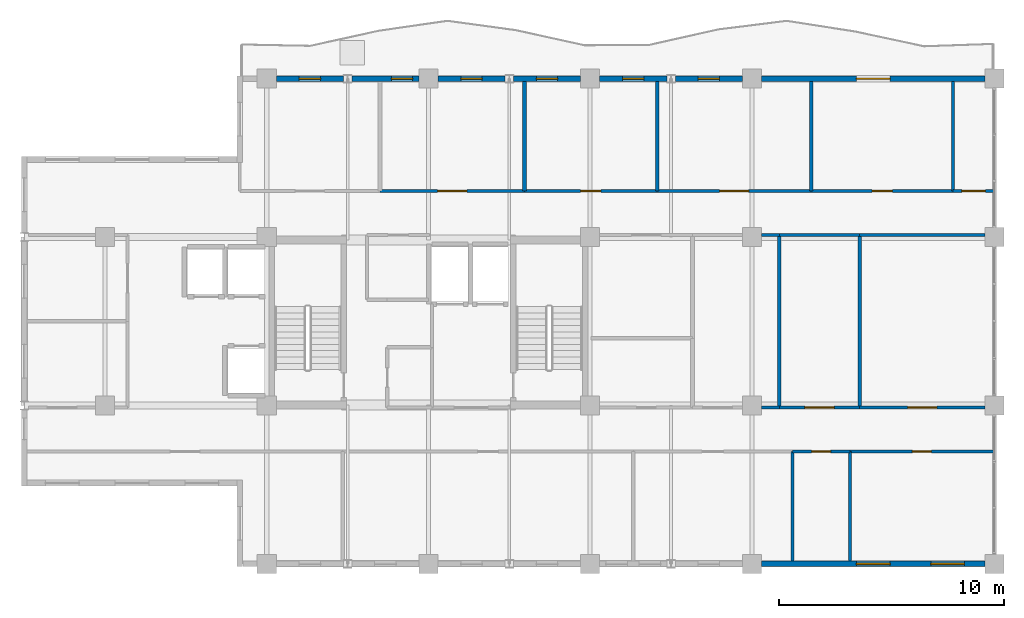
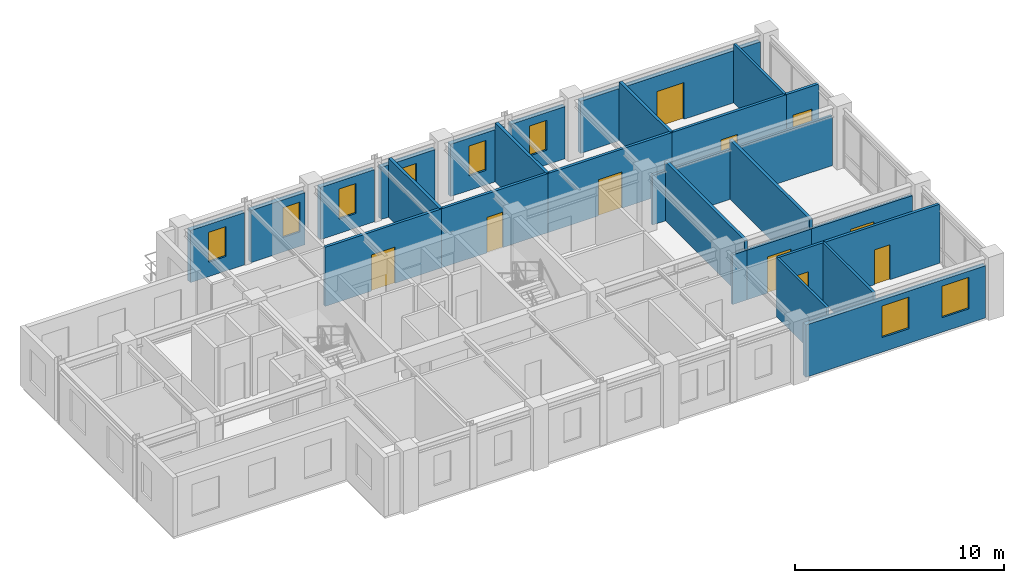
# One storey, part 8 of 10: 29 walls, 10 doors, 8 windows, 18 openings.
"""IFC4 building model written with IfcOpenShell, lengths in metres."""

from ifc_helpers import new_model, si_unit, direction, frame, frame_2d, origin, place, context, subcontext, project, spatial, rectangle, extrude, material, layer, layer_set, type_object, element, fill, save


model = new_model("IFC4")

# Units and contexts
model_context = context("Model", 3, precision=1e-05, world=origin(), true_north=direction((0.0, 1.0)))
body_context = subcontext(model_context, "Body", "Model", "MODEL_VIEW")
ifc_project = project(units=[si_unit("LENGTHUNIT", "METRE"), si_unit("AREAUNIT", "SQUARE_METRE"), si_unit("VOLUMEUNIT", "CUBIC_METRE"), si_unit("PLANEANGLEUNIT", "RADIAN"), si_unit("MASSUNIT", "GRAM", prefix="KILO")], contexts=[model_context])

# Site, building, storey
site_placement = place(None, origin())
site = spatial("IfcSite", under=ifc_project, at=site_placement, CompositionType="ELEMENT")
building_placement = place(site_placement, origin())
building = spatial("IfcBuilding", under=site, at=building_placement, Name="Kaliganga Portal Commons", CompositionType="ELEMENT")
storey_placement = place(building_placement, frame((0.0, 0.0, 290.60009765625)))
storey = spatial("IfcBuildingStorey", under=building, at=storey_placement, Name="L75", CompositionType="ELEMENT", Elevation=290.60009765625)

# Wall, openings, windows
ifc_material_1 = material(Name="Insulated Aluminium-Clad Spandrel Assembly", Category="aluminium")
ifc_layer_1 = layer(ifc_material_1, 0.260009765625)
ifc_layer_set_1 = layer_set([ifc_layer_1], Name="Insulated Aluminium-Clad Spandrel Assembly")
wall_type_1 = type_object("IfcWallType", Name="WL-EXT-SPAND-260", PredefinedType="STANDARD", material=ifc_layer_set_1)
wall_1_placement = place(storey_placement, frame((46.3740234375, 21.60009765625, 0.0), z_axis=(0.0, 0.0, 1.0), x_axis=(-1.0, 0.0, 0.0)))
wall_1 = element("IfcWall", 1, at=wall_1_placement, inside=storey, type_object=wall_type_1, Name="Exterior Envelope Wall L75 P1-E00-S8", PredefinedType="STANDARD", context=body_context, shape_type="SweptSolid", body=[
    extrude(rectangle(XDim=9.947998046875, YDim=0.260009765625, at=frame_2d((4.97412109375, 0.0))), origin(), (0.0, 0.0, 1.0), 3.054931640625),
])
opening_1_placement = place(wall_1_placement, frame((0.907958984375, 0.0, 0.85009765625)))
opening_1 = element("IfcOpeningElement", 2, at=opening_1_placement, cuts=wall_1, Name="Opening W-02", PredefinedType="OPENING", context=body_context, shape_type="SweptSolid", body=[
    extrude(rectangle(XDim=1.5, YDim=1.85009765625, at=frame_2d((0.75, 0.925048828125))), frame((0.0, 0.14013671875, 0.0), z_axis=(0.0, -1.0, 0.0), x_axis=(1.0, 0.0, 0.0)), (0.0, 0.0, 1.0), 0.280029296875),
])
opening_2_placement = place(wall_1_placement, frame((4.22412109375, 0.0, 0.85009765625)))
opening_2 = element("IfcOpeningElement", 3, at=opening_2_placement, cuts=wall_1, Name="Opening W-02", PredefinedType="OPENING", context=body_context, shape_type="SweptSolid", body=[
    extrude(rectangle(XDim=1.5, YDim=1.85009765625, at=frame_2d((0.75, 0.925048828125))), frame((0.0, 0.14013671875, 0.0), z_axis=(0.0, -1.0, 0.0), x_axis=(1.0, 0.0, 0.0)), (0.0, 0.0, 1.0), 0.280029296875),
])
ifc_material_2 = material(Name="Thermally Broken Aluminium and Low-E Double Glazing", Category="aluminium")
window_type_1 = type_object("IfcWindowType", Name="WIN-STD-1500", PartitioningType="DOUBLE_PANEL_VERTICAL", PredefinedType="WINDOW", material=ifc_material_2)
window_1_placement = place(opening_1_placement, origin())
window_1 = element("IfcWindow", 4, at=window_1_placement, inside=storey, type_object=window_type_1, Name="Facade Window L75-P1E00S8-00", OverallHeight=1.85009765625, OverallWidth=1.5, PartitioningType="SINGLE_PANEL", PredefinedType="WINDOW", context=body_context, shape_type="SweptSolid", body=[
    extrude(rectangle(XDim=1.5, YDim=1.85009765625, at=frame_2d((0.75, 0.925048828125))), frame((0.0, 0.030029296875, 0.0), z_axis=(0.0, -1.0, 0.0), x_axis=(1.0, 0.0, 0.0)), (0.0, 0.0, 1.0), 0.06005859375),
])
fill(opening_1, window_1)
window_2_placement = place(opening_2_placement, origin())
window_2 = element("IfcWindow", 5, at=window_2_placement, inside=storey, type_object=window_type_1, Name="Facade Window L75-P1E00S8-01", OverallHeight=1.85009765625, OverallWidth=1.5, PartitioningType="SINGLE_PANEL", PredefinedType="WINDOW", context=body_context, shape_type="SweptSolid", body=[
    extrude(rectangle(XDim=1.5, YDim=1.85009765625, at=frame_2d((0.75, 0.925048828125))), frame((0.0, 0.030029296875, 0.0), z_axis=(0.0, -1.0, 0.0), x_axis=(1.0, 0.0, 0.0)), (0.0, 0.0, 1.0), 0.06005859375),
])
fill(opening_2, window_2)

# Wall, opening, door
wall_2_placement = place(storey_placement, frame((36.426025390625, 43.199951171875, 0.0), z_axis=(0.0, 0.0, 1.0), x_axis=(1.0, 0.0, 0.0)))
wall_2 = element("IfcWall", 6, at=wall_2_placement, inside=storey, type_object=wall_type_1, Name="Exterior Envelope Wall L75 P1-E02-S1", PredefinedType="STANDARD", context=body_context, shape_type="SweptSolid", body=[
    extrude(rectangle(XDim=9.947998046875, YDim=0.260009765625, at=frame_2d((4.97412109375, 0.0))), origin(), (0.0, 0.0, 1.0), 3.054931640625),
])
opening_3_placement = place(wall_2_placement, frame((4.22412109375, 0.0, 0.0)))
opening_3 = element("IfcOpeningElement", 7, at=opening_3_placement, cuts=wall_2, Name="Opening BD-01", PredefinedType="OPENING", context=body_context, shape_type="SweptSolid", body=[
    extrude(rectangle(XDim=1.5, YDim=2.14990234375, at=frame_2d((0.75, 1.074951171875))), frame((0.0, 0.14013671875, 0.0), z_axis=(0.0, -1.0, 0.0), x_axis=(1.0, 0.0, 0.0)), (0.0, 0.0, 1.0), 0.280029296875),
])
ifc_material_3 = material(Name="Anodized Aluminium and Laminated Safety Glass", Category="aluminium")
door_type_1 = type_object("IfcDoorType", Name="DR-BALC-1500", OperationType="SLIDING_TO_LEFT", PredefinedType="DOOR", material=ifc_material_3)
door_1_placement = place(opening_3_placement, origin())
door_1 = element("IfcDoor", 8, at=door_1_placement, inside=storey, type_object=door_type_1, Name="Balcony Sliding Door L75 balc_north", OperationType="SLIDING_TO_LEFT", OverallHeight=2.14990234375, OverallWidth=1.5, PredefinedType="DOOR", context=body_context, shape_type="SweptSolid", body=[
    extrude(rectangle(XDim=1.5, YDim=2.14990234375, at=frame_2d((0.75, 1.074951171875))), frame((0.0, 0.02490234375, 0.0), z_axis=(0.0, -1.0, 0.0), x_axis=(1.0, 0.0, 0.0)), (0.0, 0.0, 1.0), 0.050048828125),
])
fill(opening_3, door_1)

# Wall, opening, window
wall_3_placement = place(storey_placement, frame((32.587890625, 43.199951171875, 0.0), z_axis=(0.0, 0.0, 1.0), x_axis=(1.0, 0.0, 0.0)))
wall_3 = element("IfcWall", 9, at=wall_3_placement, inside=storey, type_object=wall_type_1, Name="Exterior Envelope Wall L75 P1-E02-S2", PredefinedType="STANDARD", context=body_context, shape_type="SweptSolid", body=[
    extrude(rectangle(XDim=2.986083984375, YDim=0.260009765625, at=frame_2d((1.4931640625, 0.0))), origin(), (0.0, 0.0, 1.0), 3.054931640625),
])
opening_4_placement = place(wall_3_placement, frame((1.01806640625, 0.0, 0.85009765625)))
opening_4 = element("IfcOpeningElement", 10, at=opening_4_placement, cuts=wall_3, Name="Opening W-04", PredefinedType="OPENING", context=body_context, shape_type="SweptSolid", body=[
    extrude(rectangle(XDim=0.949951171875, YDim=1.75, at=frame_2d((0.47509765625, 0.875))), frame((0.0, 0.14013671875, 0.0), z_axis=(0.0, -1.0, 0.0), x_axis=(1.0, 0.0, 0.0)), (0.0, 0.0, 1.0), 0.280029296875),
])
window_type_2 = type_object("IfcWindowType", Name="WIN-NARROW-950", PartitioningType="SINGLE_PANEL", PredefinedType="WINDOW", material=ifc_material_2)
window_3_placement = place(opening_4_placement, origin())
window_3 = element("IfcWindow", 11, at=window_3_placement, inside=storey, type_object=window_type_2, Name="Facade Window L75-P1E02S2-00", OverallHeight=1.75, OverallWidth=0.949951171875, PartitioningType="SINGLE_PANEL", PredefinedType="WINDOW", context=body_context, shape_type="SweptSolid", body=[
    extrude(rectangle(XDim=0.949951171875, YDim=1.75, at=frame_2d((0.47509765625, 0.875))), frame((0.0, 0.030029296875, 0.0), z_axis=(0.0, -1.0, 0.0), x_axis=(1.0, 0.0, 0.0)), (0.0, 0.0, 1.0), 0.06005859375),
])
fill(opening_4, window_3)

wall_4_placement = place(storey_placement, frame((29.22607421875, 43.199951171875, 0.0), z_axis=(0.0, 0.0, 1.0), x_axis=(1.0, 0.0, 0.0)))
wall_4 = element("IfcWall", 12, at=wall_4_placement, inside=storey, type_object=wall_type_1, Name="Exterior Envelope Wall L75 P1-E02-S3", PredefinedType="STANDARD", context=body_context, shape_type="SweptSolid", body=[
    extrude(rectangle(XDim=2.98583984375, YDim=0.260009765625, at=frame_2d((1.492919921875, 0.0))), origin(), (0.0, 0.0, 1.0), 3.054931640625),
])
opening_5_placement = place(wall_4_placement, frame((1.01806640625, 0.0, 0.85009765625)))
opening_5 = element("IfcOpeningElement", 13, at=opening_5_placement, cuts=wall_4, Name="Opening W-04", PredefinedType="OPENING", context=body_context, shape_type="SweptSolid", body=[
    extrude(rectangle(XDim=0.949951171875, YDim=1.75, at=frame_2d((0.47509765625, 0.875))), frame((0.0, 0.14013671875, 0.0), z_axis=(0.0, -1.0, 0.0), x_axis=(1.0, 0.0, 0.0)), (0.0, 0.0, 1.0), 0.280029296875),
])
window_4_placement = place(opening_5_placement, origin())
window_4 = element("IfcWindow", 14, at=window_4_placement, inside=storey, type_object=window_type_2, Name="Facade Window L75-P1E02S3-00", OverallHeight=1.75, OverallWidth=0.949951171875, PartitioningType="SINGLE_PANEL", PredefinedType="WINDOW", context=body_context, shape_type="SweptSolid", body=[
    extrude(rectangle(XDim=0.949951171875, YDim=1.75, at=frame_2d((0.47509765625, 0.875))), frame((0.0, 0.030029296875, 0.0), z_axis=(0.0, -1.0, 0.0), x_axis=(1.0, 0.0, 0.0)), (0.0, 0.0, 1.0), 0.06005859375),
])
fill(opening_5, window_4)

wall_5_placement = place(storey_placement, frame((25.387939453125, 43.199951171875, 0.0), z_axis=(0.0, 0.0, 1.0), x_axis=(1.0, 0.0, 0.0)))
wall_5 = element("IfcWall", 15, at=wall_5_placement, inside=storey, type_object=wall_type_1, Name="Exterior Envelope Wall L75 P1-E02-S4", PredefinedType="STANDARD", context=body_context, shape_type="SweptSolid", body=[
    extrude(rectangle(XDim=2.986083984375, YDim=0.260009765625, at=frame_2d((1.4931640625, 0.0))), origin(), (0.0, 0.0, 1.0), 3.054931640625),
])
opening_6_placement = place(wall_5_placement, frame((1.01806640625, 0.0, 0.85009765625)))
opening_6 = element("IfcOpeningElement", 16, at=opening_6_placement, cuts=wall_5, Name="Opening W-04", PredefinedType="OPENING", context=body_context, shape_type="SweptSolid", body=[
    extrude(rectangle(XDim=0.949951171875, YDim=1.75, at=frame_2d((0.47509765625, 0.875))), frame((0.0, 0.14013671875, 0.0), z_axis=(0.0, -1.0, 0.0), x_axis=(1.0, 0.0, 0.0)), (0.0, 0.0, 1.0), 0.280029296875),
])
window_5_placement = place(opening_6_placement, origin())
window_5 = element("IfcWindow", 17, at=window_5_placement, inside=storey, type_object=window_type_2, Name="Facade Window L75-P1E02S4-00", OverallHeight=1.75, OverallWidth=0.949951171875, PartitioningType="SINGLE_PANEL", PredefinedType="WINDOW", context=body_context, shape_type="SweptSolid", body=[
    extrude(rectangle(XDim=0.949951171875, YDim=1.75, at=frame_2d((0.47509765625, 0.875))), frame((0.0, 0.030029296875, 0.0), z_axis=(0.0, -1.0, 0.0), x_axis=(1.0, 0.0, 0.0)), (0.0, 0.0, 1.0), 0.06005859375),
])
fill(opening_6, window_5)

wall_6_placement = place(storey_placement, frame((22.02587890625, 43.199951171875, 0.0), z_axis=(0.0, 0.0, 1.0), x_axis=(1.0, 0.0, 0.0)))
wall_6 = element("IfcWall", 18, at=wall_6_placement, inside=storey, type_object=wall_type_1, Name="Exterior Envelope Wall L75 P1-E02-S5", PredefinedType="STANDARD", context=body_context, shape_type="SweptSolid", body=[
    extrude(rectangle(XDim=2.986083984375, YDim=0.260009765625, at=frame_2d((1.4931640625, 0.0))), origin(), (0.0, 0.0, 1.0), 3.054931640625),
])
opening_7_placement = place(wall_6_placement, frame((1.01806640625, 0.0, 0.85009765625)))
opening_7 = element("IfcOpeningElement", 19, at=opening_7_placement, cuts=wall_6, Name="Opening W-04", PredefinedType="OPENING", context=body_context, shape_type="SweptSolid", body=[
    extrude(rectangle(XDim=0.949951171875, YDim=1.75, at=frame_2d((0.47509765625, 0.875))), frame((0.0, 0.14013671875, 0.0), z_axis=(0.0, -1.0, 0.0), x_axis=(1.0, 0.0, 0.0)), (0.0, 0.0, 1.0), 0.280029296875),
])
window_6_placement = place(opening_7_placement, origin())
window_6 = element("IfcWindow", 20, at=window_6_placement, inside=storey, type_object=window_type_2, Name="Facade Window L75-P1E02S5-00", OverallHeight=1.75, OverallWidth=0.949951171875, PartitioningType="SINGLE_PANEL", PredefinedType="WINDOW", context=body_context, shape_type="SweptSolid", body=[
    extrude(rectangle(XDim=0.949951171875, YDim=1.75, at=frame_2d((0.47509765625, 0.875))), frame((0.0, 0.030029296875, 0.0), z_axis=(0.0, -1.0, 0.0), x_axis=(1.0, 0.0, 0.0)), (0.0, 0.0, 1.0), 0.06005859375),
])
fill(opening_7, window_6)

wall_7_placement = place(storey_placement, frame((18.18798828125, 43.199951171875, 0.0), z_axis=(0.0, 0.0, 1.0), x_axis=(1.0, 0.0, 0.0)))
wall_7 = element("IfcWall", 21, at=wall_7_placement, inside=storey, type_object=wall_type_1, Name="Exterior Envelope Wall L75 P1-E02-S6", PredefinedType="STANDARD", context=body_context, shape_type="SweptSolid", body=[
    extrude(rectangle(XDim=2.986083984375, YDim=0.260009765625, at=frame_2d((1.4931640625, 0.0))), origin(), (0.0, 0.0, 1.0), 3.054931640625),
])
opening_8_placement = place(wall_7_placement, frame((1.758544921875, 0.0, 0.85009765625)))
opening_8 = element("IfcOpeningElement", 22, at=opening_8_placement, cuts=wall_7, Name="Opening W-04", PredefinedType="OPENING", context=body_context, shape_type="SweptSolid", body=[
    extrude(rectangle(XDim=0.949951171875, YDim=1.75, at=frame_2d((0.47509765625, 0.875))), frame((0.0, 0.14013671875, 0.0), z_axis=(0.0, -1.0, 0.0), x_axis=(1.0, 0.0, 0.0)), (0.0, 0.0, 1.0), 0.280029296875),
])
window_7_placement = place(opening_8_placement, origin())
window_7 = element("IfcWindow", 23, at=window_7_placement, inside=storey, type_object=window_type_2, Name="Facade Window L75-P1E02S6-N2", OverallHeight=1.75, OverallWidth=0.949951171875, PartitioningType="SINGLE_PANEL", PredefinedType="WINDOW", context=body_context, shape_type="SweptSolid", body=[
    extrude(rectangle(XDim=0.949951171875, YDim=1.75, at=frame_2d((0.47509765625, 0.875))), frame((0.0, 0.030029296875, 0.0), z_axis=(0.0, -1.0, 0.0), x_axis=(1.0, 0.0, 0.0)), (0.0, 0.0, 1.0), 0.06005859375),
])
fill(opening_8, window_7)

wall_8_placement = place(storey_placement, frame((14.825927734375, 43.199951171875, 0.0), z_axis=(0.0, 0.0, 1.0), x_axis=(1.0, 0.0, 0.0)))
wall_8 = element("IfcWall", 24, at=wall_8_placement, inside=storey, type_object=wall_type_1, Name="Exterior Envelope Wall L75 P1-E02-S7", PredefinedType="STANDARD", context=body_context, shape_type="SweptSolid", body=[
    extrude(rectangle(XDim=2.986083984375, YDim=0.260009765625, at=frame_2d((1.4931640625, 0.0))), origin(), (0.0, 0.0, 1.0), 3.054931640625),
])
opening_9_placement = place(wall_8_placement, frame((1.01806640625, 0.0, 0.85009765625)))
opening_9 = element("IfcOpeningElement", 25, at=opening_9_placement, cuts=wall_8, Name="Opening W-04", PredefinedType="OPENING", context=body_context, shape_type="SweptSolid", body=[
    extrude(rectangle(XDim=0.949951171875, YDim=1.75, at=frame_2d((0.47509765625, 0.875))), frame((0.0, 0.14013671875, 0.0), z_axis=(0.0, -1.0, 0.0), x_axis=(1.0, 0.0, 0.0)), (0.0, 0.0, 1.0), 0.280029296875),
])
window_8_placement = place(opening_9_placement, origin())
window_8 = element("IfcWindow", 26, at=window_8_placement, inside=storey, type_object=window_type_2, Name="Facade Window L75-P1E02S7-00", OverallHeight=1.75, OverallWidth=0.949951171875, PartitioningType="SINGLE_PANEL", PredefinedType="WINDOW", context=body_context, shape_type="SweptSolid", body=[
    extrude(rectangle(XDim=0.949951171875, YDim=1.75, at=frame_2d((0.47509765625, 0.875))), frame((0.0, 0.030029296875, 0.0), z_axis=(0.0, -1.0, 0.0), x_axis=(1.0, 0.0, 0.0)), (0.0, 0.0, 1.0), 0.06005859375),
])
fill(opening_9, window_8)

# Wall, opening, door
ifc_material_4 = material(Name="Fire-Rated Gypsum Board on Steel Stud", Category="steel")
ifc_layer_2 = layer(ifc_material_4, 0.14990234375)
ifc_layer_set_2 = layer_set([ifc_layer_2], Name="Fire-Rated Gypsum Board on Steel Stud")
wall_type_2 = type_object("IfcWallType", Name="WL-PART-CORR-150", PredefinedType="PARTITIONING", material=ifc_layer_set_2)
wall_9_placement = place(storey_placement, frame((31.780029296875, 38.199951171875, 0.0), z_axis=(0.0, 0.0, 1.0), x_axis=(1.0, 0.0, 0.0)))
wall_9 = element("IfcWall", 27, at=wall_9_placement, inside=storey, type_object=wall_type_2, Name="Interior Partition L75-004", PredefinedType="PARTITIONING", context=body_context, shape_type="SweptSolid", body=[
    extrude(rectangle(XDim=6.85986328125, YDim=0.14990234375, at=frame_2d((3.429931640625, 0.0))), origin(), (0.0, 0.0, 1.0), 3.454833984375),
])
opening_10_placement = place(wall_9_placement, frame((2.780029296875, 0.0, 0.0)))
opening_10 = element("IfcOpeningElement", 28, at=opening_10_placement, cuts=wall_9, Name="Opening RD-03", PredefinedType="OPENING", context=body_context, shape_type="SweptSolid", body=[
    extrude(rectangle(XDim=1.300048828125, YDim=2.1201171875, at=frame_2d((0.64990234375, 1.06005859375))), frame((0.0, 0.0849609375, 0.0), z_axis=(0.0, -1.0, 0.0), x_axis=(1.0, 0.0, 0.0)), (0.0, 0.0, 1.0), 0.169921875),
])
ifc_material_5 = material(Name="Glazed Timber Seminar Vision Door", Category="wood")
door_type_2 = type_object("IfcDoorType", Name="DR-STUDY-1300", OperationType="DOUBLE_DOOR_SINGLE_SWING", PredefinedType="DOOR", material=ifc_material_5)
door_2_placement = place(opening_10_placement, origin())
door_2 = element("IfcDoor", 29, at=door_2_placement, inside=storey, type_object=door_type_2, Name="Interior Door L75-AN04", OperationType="DOUBLE_DOOR_SINGLE_SWING", OverallHeight=2.1201171875, OverallWidth=1.300048828125, PredefinedType="DOOR", context=body_context, shape_type="SweptSolid", body=[
    extrude(rectangle(XDim=1.300048828125, YDim=2.1201171875, at=frame_2d((0.64990234375, 1.06005859375))), frame((0.0, 0.02490234375, 0.0), z_axis=(0.0, -1.0, 0.0), x_axis=(1.0, 0.0, 0.0)), (0.0, 0.0, 1.0), 0.050048828125),
])
fill(opening_10, door_2)

wall_10_placement = place(storey_placement, frame((40.360107421875, 26.60009765625, 0.0), z_axis=(0.0, 0.0, 1.0), x_axis=(1.0, 0.0, 0.0)))
wall_10 = element("IfcWall", 30, at=wall_10_placement, inside=storey, type_object=wall_type_2, Name="Interior Partition L75-005", PredefinedType="PARTITIONING", context=body_context, shape_type="SweptSolid", body=[
    extrude(rectangle(XDim=6.419921875, YDim=0.14990234375, at=frame_2d((3.2099609375, 0.0))), origin(), (0.0, 0.0, 1.0), 3.454833984375),
])
opening_11_placement = place(wall_10_placement, frame((2.784912109375, 0.0, 0.0)))
opening_11 = element("IfcOpeningElement", 31, at=opening_11_placement, cuts=wall_10, Name="Opening WD-01", PredefinedType="OPENING", context=body_context, shape_type="SweptSolid", body=[
    extrude(rectangle(XDim=0.85009765625, YDim=2.0400390625, at=frame_2d((0.425048828125, 1.02001953125))), frame((0.0, 0.0849609375, 0.0), z_axis=(0.0, -1.0, 0.0), x_axis=(1.0, 0.0, 0.0)), (0.0, 0.0, 1.0), 0.169921875),
])
ifc_material_6 = material(Name="Moisture-Resistant Laminate Timber Door", Category="wood")
door_type_3 = type_object("IfcDoorType", Name="DR-WET-850", OperationType="NOTDEFINED", PredefinedType="DOOR", material=ifc_material_6)
door_3_placement = place(opening_11_placement, origin())
door_3 = element("IfcDoor", 32, at=door_3_placement, inside=storey, type_object=door_type_3, Name="Interior Door L75-AS05", OperationType="SINGLE_SWING_RIGHT", OverallHeight=2.0400390625, OverallWidth=0.85009765625, PredefinedType="DOOR", context=body_context, shape_type="SweptSolid", body=[
    extrude(rectangle(XDim=0.85009765625, YDim=2.0400390625, at=frame_2d((0.425048828125, 1.02001953125))), frame((0.0, 0.02490234375, 0.0), z_axis=(0.0, -1.0, 0.0), x_axis=(1.0, 0.0, 0.0)), (0.0, 0.0, 1.0), 0.050048828125),
])
fill(opening_11, door_3)

wall_11_placement = place(storey_placement, frame((19.43994140625, 38.199951171875, 0.0), z_axis=(0.0, 0.0, 1.0), x_axis=(1.0, 0.0, 0.0)))
wall_11 = element("IfcWall", 33, at=wall_11_placement, inside=storey, type_object=wall_type_2, Name="Interior Partition L75-006", PredefinedType="PARTITIONING", context=body_context, shape_type="SweptSolid", body=[
    extrude(rectangle(XDim=6.43994140625, YDim=0.14990234375, at=frame_2d((3.219970703125, 0.0))), origin(), (0.0, 0.0, 1.0), 3.454833984375),
])
opening_12_placement = place(wall_11_placement, frame((2.570068359375, 0.0, 0.0)))
opening_12 = element("IfcOpeningElement", 34, at=opening_12_placement, cuts=wall_11, Name="Opening RD-03", PredefinedType="OPENING", context=body_context, shape_type="SweptSolid", body=[
    extrude(rectangle(XDim=1.300048828125, YDim=2.1201171875, at=frame_2d((0.64990234375, 1.06005859375))), frame((0.0, 0.0849609375, 0.0), z_axis=(0.0, -1.0, 0.0), x_axis=(1.0, 0.0, 0.0)), (0.0, 0.0, 1.0), 0.169921875),
])
door_4_placement = place(opening_12_placement, origin())
door_4 = element("IfcDoor", 35, at=door_4_placement, inside=storey, type_object=door_type_2, Name="Interior Door L75-AN02", OperationType="DOUBLE_DOOR_SINGLE_SWING", OverallHeight=2.1201171875, OverallWidth=1.300048828125, PredefinedType="DOOR", context=body_context, shape_type="SweptSolid", body=[
    extrude(rectangle(XDim=1.300048828125, YDim=2.1201171875, at=frame_2d((0.64990234375, 1.06005859375))), frame((0.0, 0.02490234375, 0.0), z_axis=(0.0, -1.0, 0.0), x_axis=(1.0, 0.0, 0.0)), (0.0, 0.0, 1.0), 0.050048828125),
])
fill(opening_12, door_4)

wall_12_placement = place(storey_placement, frame((38.639892578125, 38.199951171875, 0.0), z_axis=(0.0, 0.0, 1.0), x_axis=(1.0, 0.0, 0.0)))
wall_12 = element("IfcWall", 36, at=wall_12_placement, inside=storey, type_object=wall_type_2, Name="Interior Partition L75-007", PredefinedType="PARTITIONING", context=body_context, shape_type="SweptSolid", body=[
    extrude(rectangle(XDim=6.320068359375, YDim=0.14990234375, at=frame_2d((3.16015625, 0.0))), origin(), (0.0, 0.0, 1.0), 3.454833984375),
])
opening_13_placement = place(wall_12_placement, frame((2.7099609375, 0.0, 0.0)))
opening_13 = element("IfcOpeningElement", 37, at=opening_13_placement, cuts=wall_12, Name="Opening RD-01", PredefinedType="OPENING", context=body_context, shape_type="SweptSolid", body=[
    extrude(rectangle(XDim=0.89990234375, YDim=2.080078125, at=frame_2d((0.449951171875, 1.0400390625))), frame((0.0, 0.0849609375, 0.0), z_axis=(0.0, -1.0, 0.0), x_axis=(1.0, 0.0, 0.0)), (0.0, 0.0, 1.0), 0.169921875),
])
ifc_material_7 = material(Name="Engineered Timber Flush Door", Category="wood")
door_type_4 = type_object("IfcDoorType", Name="DR-ROOM-900", OperationType="NOTDEFINED", PredefinedType="DOOR", material=ifc_material_7)
door_5_placement = place(opening_13_placement, origin())
door_5 = element("IfcDoor", 38, at=door_5_placement, inside=storey, type_object=door_type_4, Name="Interior Door L75-AN05", OperationType="SINGLE_SWING_RIGHT", OverallHeight=2.080078125, OverallWidth=0.89990234375, PredefinedType="DOOR", context=body_context, shape_type="SweptSolid", body=[
    extrude(rectangle(XDim=0.89990234375, YDim=2.080078125, at=frame_2d((0.449951171875, 1.0400390625))), frame((0.0, 0.02490234375, 0.0), z_axis=(0.0, -1.0, 0.0), x_axis=(1.0, 0.0, 0.0)), (0.0, 0.0, 1.0), 0.050048828125),
])
fill(opening_13, door_5)

wall_13_placement = place(storey_placement, frame((40.800048828125, 28.56005859375, 0.0), z_axis=(0.0, 0.0, 1.0), x_axis=(1.0, 0.0, 0.0)))
wall_13 = element("IfcWall", 39, at=wall_13_placement, inside=storey, type_object=wall_type_2, Name="Interior Partition L75-009", PredefinedType="PARTITIONING", context=body_context, shape_type="SweptSolid", body=[
    extrude(rectangle(XDim=5.574951171875, YDim=0.14990234375, at=frame_2d((2.78759765625, 0.0))), origin(), (0.0, 0.0, 1.0), 2.90478515625),
])
opening_14_placement = place(wall_13_placement, frame((2.137451171875, 0.0, 0.0)))
opening_14 = element("IfcOpeningElement", 40, at=opening_14_placement, cuts=wall_13, Name="Opening RD-03", PredefinedType="OPENING", context=body_context, shape_type="SweptSolid", body=[
    extrude(rectangle(XDim=1.300048828125, YDim=2.1201171875, at=frame_2d((0.64990234375, 1.06005859375))), frame((0.0, 0.0849609375, 0.0), z_axis=(0.0, -1.0, 0.0), x_axis=(1.0, 0.0, 0.0)), (0.0, 0.0, 1.0), 0.169921875),
])
door_6_placement = place(opening_14_placement, origin())
door_6 = element("IfcDoor", 41, at=door_6_placement, inside=storey, type_object=door_type_2, Name="Interior Door L75-AE03", OperationType="DOUBLE_DOOR_SINGLE_SWING", OverallHeight=2.1201171875, OverallWidth=1.300048828125, PredefinedType="DOOR", context=body_context, shape_type="SweptSolid", body=[
    extrude(rectangle(XDim=1.300048828125, YDim=2.1201171875, at=frame_2d((0.64990234375, 1.06005859375))), frame((0.0, 0.02490234375, 0.0), z_axis=(0.0, -1.0, 0.0), x_axis=(1.0, 0.0, 0.0)), (0.0, 0.0, 1.0), 0.050048828125),
])
fill(opening_14, door_6)

# Wall
wall_14_placement = place(storey_placement, frame((40.800048828125, 36.239990234375, 0.0), z_axis=(0.0, 0.0, 1.0), x_axis=(1.0, 0.0, 0.0)))
element("IfcWall", 42, at=wall_14_placement, inside=storey, type_object=wall_type_2, Name="Interior Partition L75-010", PredefinedType="PARTITIONING", context=body_context, shape_type="SweptSolid", body=[
    extrude(rectangle(XDim=5.574951171875, YDim=0.14990234375, at=frame_2d((2.78759765625, 0.0))), origin(), (0.0, 0.0, 1.0), 2.90478515625),
])

# Wall, opening, door
wall_15_placement = place(storey_placement, frame((25.8798828125, 38.199951171875, 0.0), z_axis=(0.0, 0.0, 1.0), x_axis=(1.0, 0.0, 0.0)))
wall_15 = element("IfcWall", 43, at=wall_15_placement, inside=storey, type_object=wall_type_2, Name="Interior Partition L75-011", PredefinedType="PARTITIONING", context=body_context, shape_type="SweptSolid", body=[
    extrude(rectangle(XDim=5.900146484375, YDim=0.14990234375, at=frame_2d((2.9501953125, 0.0))), origin(), (0.0, 0.0, 1.0), 3.454833984375),
])
opening_15_placement = place(wall_15_placement, frame((2.5, 0.0, 0.0)))
opening_15 = element("IfcOpeningElement", 44, at=opening_15_placement, cuts=wall_15, Name="Opening RD-01", PredefinedType="OPENING", context=body_context, shape_type="SweptSolid", body=[
    extrude(rectangle(XDim=0.89990234375, YDim=2.080078125, at=frame_2d((0.449951171875, 1.0400390625))), frame((0.0, 0.0849609375, 0.0), z_axis=(0.0, -1.0, 0.0), x_axis=(1.0, 0.0, 0.0)), (0.0, 0.0, 1.0), 0.169921875),
])
door_7_placement = place(opening_15_placement, origin())
door_7 = element("IfcDoor", 45, at=door_7_placement, inside=storey, type_object=door_type_4, Name="Interior Door L75-AN03", OperationType="SINGLE_SWING_LEFT", OverallHeight=2.080078125, OverallWidth=0.89990234375, PredefinedType="DOOR", context=body_context, shape_type="SweptSolid", body=[
    extrude(rectangle(XDim=0.89990234375, YDim=2.080078125, at=frame_2d((0.449951171875, 1.0400390625))), frame((0.0, 0.02490234375, 0.0), z_axis=(0.0, -1.0, 0.0), x_axis=(1.0, 0.0, 0.0)), (0.0, 0.0, 1.0), 0.050048828125),
])
fill(opening_15, door_7)

# Walls
for number, where, z_axis, x_axis, name in (
    (46, (36.425048828125, 28.56005859375, 0.0), (0.0, 0.0, 1.0), (1.0, 0.0, 0.0), "Interior Partition L75-017"),
    (47, (36.425048828125, 36.239990234375, 0.0), (0.0, 0.0, 1.0), (1.0, 0.0, 0.0), "Interior Partition L75-019"),
):
    element("IfcWall", number, at=place(storey_placement, frame(where, z_axis=z_axis, x_axis=x_axis)), inside=storey, type_object=wall_type_2, Name=name, PredefinedType="PARTITIONING", context=body_context, shape_type="SweptSolid", body=[
        extrude(rectangle(XDim=0.794921875, YDim=0.14990234375, at=frame_2d((0.3974609375, 0.0))), origin(), (0.0, 0.0, 1.0), 2.90478515625),
    ])

# Wall, opening, door
wall_16_placement = place(storey_placement, frame((37.219970703125, 28.56005859375, 0.0), z_axis=(0.0, 0.0, 1.0), x_axis=(1.0, 0.0, 0.0)))
wall_16 = element("IfcWall", 48, at=wall_16_placement, inside=storey, type_object=wall_type_2, Name="Interior Partition L75-022", PredefinedType="PARTITIONING", context=body_context, shape_type="SweptSolid", body=[
    extrude(rectangle(XDim=3.580078125, YDim=0.14990234375, at=frame_2d((1.7900390625, 0.0))), origin(), (0.0, 0.0, 1.0), 2.90478515625),
])
opening_16_placement = place(wall_16_placement, frame((1.139892578125, 0.0, 0.0)))
opening_16 = element("IfcOpeningElement", 49, at=opening_16_placement, cuts=wall_16, Name="Opening RD-03", PredefinedType="OPENING", context=body_context, shape_type="SweptSolid", body=[
    extrude(rectangle(XDim=1.300048828125, YDim=2.1201171875, at=frame_2d((0.64990234375, 1.06005859375))), frame((0.0, 0.0849609375, 0.0), z_axis=(0.0, -1.0, 0.0), x_axis=(1.0, 0.0, 0.0)), (0.0, 0.0, 1.0), 0.169921875),
])
door_8_placement = place(opening_16_placement, origin())
door_8 = element("IfcDoor", 50, at=door_8_placement, inside=storey, type_object=door_type_2, Name="Interior Door L75-AE02", OperationType="DOUBLE_DOOR_SINGLE_SWING", OverallHeight=2.1201171875, OverallWidth=1.300048828125, PredefinedType="DOOR", context=body_context, shape_type="SweptSolid", body=[
    extrude(rectangle(XDim=1.300048828125, YDim=2.1201171875, at=frame_2d((0.64990234375, 1.06005859375))), frame((0.0, 0.02490234375, 0.0), z_axis=(0.0, -1.0, 0.0), x_axis=(1.0, 0.0, 0.0)), (0.0, 0.0, 1.0), 0.050048828125),
])
fill(opening_16, door_8)

# Wall
wall_17_placement = place(storey_placement, frame((37.219970703125, 36.239990234375, 0.0), z_axis=(0.0, 0.0, 1.0), x_axis=(1.0, 0.0, 0.0)))
element("IfcWall", 51, at=wall_17_placement, inside=storey, type_object=wall_type_2, Name="Interior Partition L75-023", PredefinedType="PARTITIONING", context=body_context, shape_type="SweptSolid", body=[
    extrude(rectangle(XDim=3.580078125, YDim=0.14990234375, at=frame_2d((1.7900390625, 0.0))), origin(), (0.0, 0.0, 1.0), 2.90478515625),
])

# Wall, opening, door
wall_18_placement = place(storey_placement, frame((37.800048828125, 26.60009765625, 0.0), z_axis=(0.0, 0.0, 1.0), x_axis=(1.0, 0.0, 0.0)))
wall_18 = element("IfcWall", 52, at=wall_18_placement, inside=storey, type_object=wall_type_2, Name="Interior Partition L75-028", PredefinedType="PARTITIONING", context=body_context, shape_type="SweptSolid", body=[
    extrude(rectangle(XDim=2.56005859375, YDim=0.14990234375, at=frame_2d((1.280029296875, 0.0))), origin(), (0.0, 0.0, 1.0), 3.454833984375),
])
opening_17_placement = place(wall_18_placement, frame((0.85498046875, 0.0, 0.0)))
opening_17 = element("IfcOpeningElement", 53, at=opening_17_placement, cuts=wall_18, Name="Opening WD-01", PredefinedType="OPENING", context=body_context, shape_type="SweptSolid", body=[
    extrude(rectangle(XDim=0.85009765625, YDim=2.0400390625, at=frame_2d((0.425048828125, 1.02001953125))), frame((0.0, 0.0849609375, 0.0), z_axis=(0.0, -1.0, 0.0), x_axis=(1.0, 0.0, 0.0)), (0.0, 0.0, 1.0), 0.169921875),
])
door_9_placement = place(opening_17_placement, origin())
door_9 = element("IfcDoor", 54, at=door_9_placement, inside=storey, type_object=door_type_3, Name="Interior Door L75-AS04", OperationType="SINGLE_SWING_RIGHT", OverallHeight=2.0400390625, OverallWidth=0.85009765625, PredefinedType="DOOR", context=body_context, shape_type="SweptSolid", body=[
    extrude(rectangle(XDim=0.85009765625, YDim=2.0400390625, at=frame_2d((0.425048828125, 1.02001953125))), frame((0.0, 0.02490234375, 0.0), z_axis=(0.0, -1.0, 0.0), x_axis=(1.0, 0.0, 0.0)), (0.0, 0.0, 1.0), 0.050048828125),
])
fill(opening_17, door_9)

wall_19_placement = place(storey_placement, frame((44.9599609375, 38.199951171875, 0.0), z_axis=(0.0, 0.0, 1.0), x_axis=(1.0, 0.0, 0.0)))
wall_19 = element("IfcWall", 55, at=wall_19_placement, inside=storey, type_object=wall_type_2, Name="Interior Partition L75-032", PredefinedType="PARTITIONING", context=body_context, shape_type="SweptSolid", body=[
    extrude(rectangle(XDim=1.820068359375, YDim=0.14990234375, at=frame_2d((0.91015625, 0.0))), origin(), (0.0, 0.0, 1.0), 3.454833984375),
])
opening_18_placement = place(wall_19_placement, frame((0.385009765625, 0.0, 0.0)))
opening_18 = element("IfcOpeningElement", 56, at=opening_18_placement, cuts=wall_19, Name="Opening UD-02", PredefinedType="OPENING", context=body_context, shape_type="SweptSolid", body=[
    extrude(rectangle(XDim=1.050048828125, YDim=2.1201171875, at=frame_2d((0.52490234375, 1.06005859375))), frame((0.0, 0.0849609375, 0.0), z_axis=(0.0, -1.0, 0.0), x_axis=(1.0, 0.0, 0.0)), (0.0, 0.0, 1.0), 0.169921875),
])
ifc_material_8 = material(Name="Accessible Wide-Leaf Acoustic Fire Door", Category="wood")
door_type_5 = type_object("IfcDoorType", Name="DR-ACC-1050", OperationType="NOTDEFINED", PredefinedType="DOOR", material=ifc_material_8)
door_10_placement = place(opening_18_placement, origin())
door_10 = element("IfcDoor", 57, at=door_10_placement, inside=storey, type_object=door_type_5, Name="Interior Door L75-AN06", OperationType="SINGLE_SWING_LEFT", OverallHeight=2.1201171875, OverallWidth=1.050048828125, PredefinedType="DOOR", context=body_context, shape_type="SweptSolid", body=[
    extrude(rectangle(XDim=1.050048828125, YDim=2.1201171875, at=frame_2d((0.52490234375, 1.06005859375))), frame((0.0, 0.02490234375, 0.0), z_axis=(0.0, -1.0, 0.0), x_axis=(1.0, 0.0, 0.0)), (0.0, 0.0, 1.0), 0.050048828125),
])
fill(opening_18, door_10)

# Walls
ifc_material_9 = material(Name="Twin-Stud Acoustic Gypsum Partition", Category="gypsum")
ifc_layer_3 = layer(ifc_material_9, 0.1650390625)
ifc_layer_set_3 = layer_set([ifc_layer_3], Name="Twin-Stud Acoustic Gypsum Partition")
wall_type_3 = type_object("IfcWallType", Name="WL-PART-UNIT-165", PredefinedType="PARTITIONING", material=ifc_layer_set_3)
for number, where, z_axis, x_axis, name in (
    (58, (37.219970703125, 28.56005859375, 0.0), (0.0, 0.0, 1.0), (0.0, 1.0, 0.0), "Interior Partition L75-034"),
    (59, (40.800048828125, 28.56005859375, 0.0), (0.0, 0.0, 1.0), (0.0, 1.0, 0.0), "Interior Partition L75-035"),
):
    element("IfcWall", number, at=place(storey_placement, frame(where, z_axis=z_axis, x_axis=x_axis)), inside=storey, type_object=wall_type_3, Name=name, PredefinedType="PARTITIONING", context=body_context, shape_type="SweptSolid", body=[
        extrude(rectangle(XDim=7.679931640625, YDim=0.1650390625, at=frame_2d((3.83984375, 0.0))), origin(), (0.0, 0.0, 1.0), 3.454833984375),
    ])
for number, where, z_axis, x_axis, name in (
    (60, (25.8798828125, 38.199951171875, 0.0), (0.0, 0.0, 1.0), (0.0, 1.0, 0.0), "Interior Partition L75-039"),
    (61, (31.780029296875, 38.199951171875, 0.0), (0.0, 0.0, 1.0), (0.0, 1.0, 0.0), "Interior Partition L75-041"),
    (62, (38.639892578125, 38.199951171875, 0.0), (0.0, 0.0, 1.0), (0.0, 1.0, 0.0), "Interior Partition L75-043"),
):
    element("IfcWall", number, at=place(storey_placement, frame(where, z_axis=z_axis, x_axis=x_axis)), inside=storey, type_object=wall_type_3, Name=name, PredefinedType="PARTITIONING", context=body_context, shape_type="SweptSolid", body=[
        extrude(rectangle(XDim=4.8681640625, YDim=0.1650390625, at=frame_2d((2.43408203125, 0.0))), origin(), (0.0, 0.0, 1.0), 3.454833984375),
    ])
ifc_material_10 = material(Name="Cement-Board Wet-Room Partition", Category="gypsum")
ifc_layer_4 = layer(ifc_material_10, 0.135009765625)
ifc_layer_set_4 = layer_set([ifc_layer_4], Name="Cement-Board Wet-Room Partition")
wall_type_4 = type_object("IfcWallType", Name="WL-PART-WET-135", PredefinedType="PARTITIONING", material=ifc_layer_set_4)
for number, where, z_axis, x_axis, name in (
    (63, (37.800048828125, 21.73193359375, 0.0), (0.0, 0.0, 1.0), (0.0, 1.0, 0.0), "Interior Partition L75-042"),
    (64, (40.360107421875, 21.73193359375, 0.0), (0.0, 0.0, 1.0), (0.0, 1.0, 0.0), "Interior Partition L75-044"),
    (65, (44.9599609375, 38.199951171875, 0.0), (0.0, 0.0, 1.0), (0.0, 1.0, 0.0), "Interior Partition L75-045"),
):
    element("IfcWall", number, at=place(storey_placement, frame(where, z_axis=z_axis, x_axis=x_axis)), inside=storey, type_object=wall_type_4, Name=name, PredefinedType="PARTITIONING", context=body_context, shape_type="SweptSolid", body=[
        extrude(rectangle(XDim=4.8681640625, YDim=0.135009765625, at=frame_2d((2.43408203125, 0.0))), origin(), (0.0, 0.0, 1.0), 3.454833984375),
    ])

save(model, "model.ifc")
